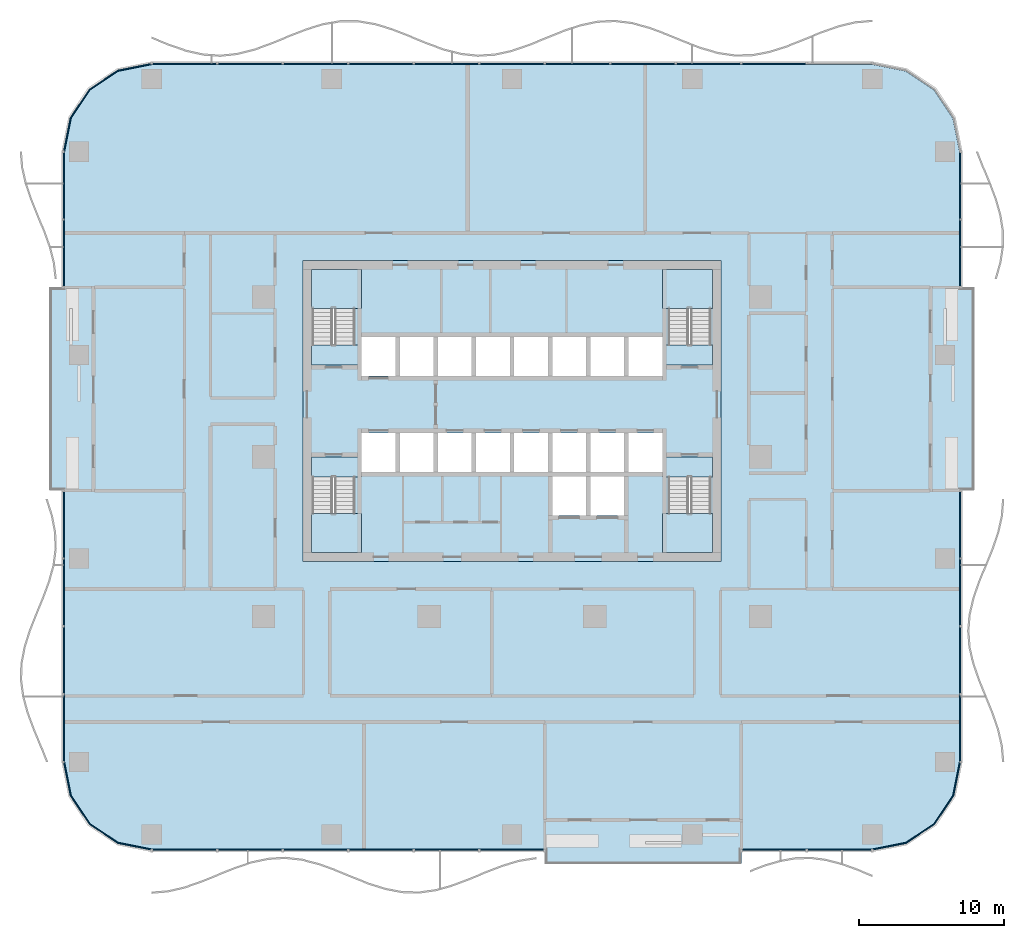
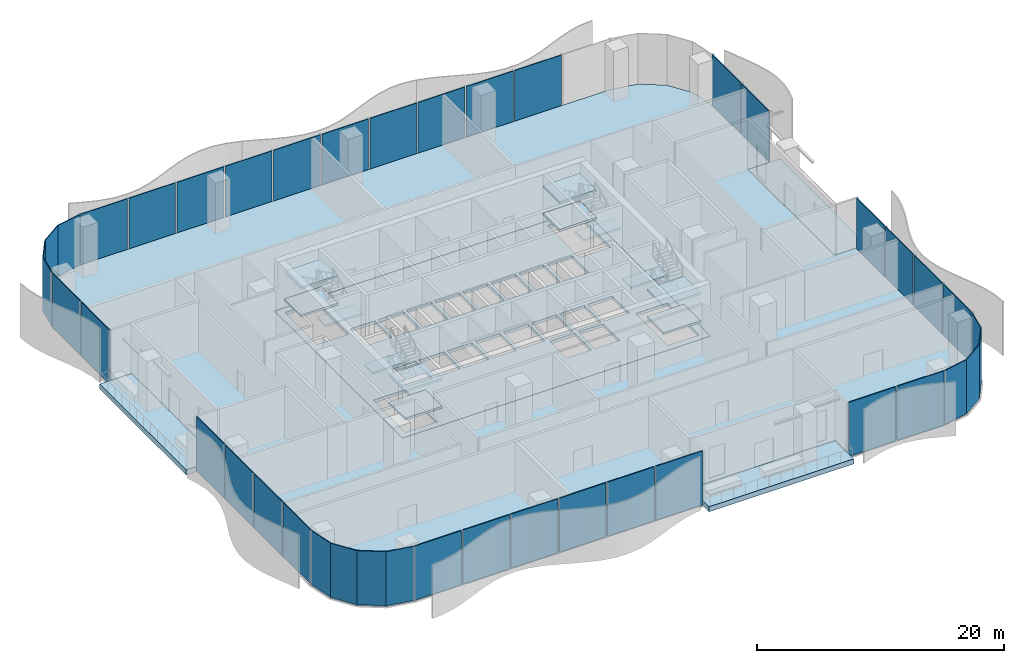
# One storey, part 6 of 20: 33 plates, 17 slabs, 14 elements without a shape of their own.
"""IFC4 building model written with IfcOpenShell, lengths in metres."""

from ifc_helpers import new_model, si_unit, direction, frame, origin, origin_2d, place, context, subcontext, project, spatial, polyline, rectangle, outline, extrude, material, layer, layer_set, type_object, element, aggregate, save


model = new_model("IFC4")

# Units and contexts
model_context = context("Model", 3, precision=1e-05, world=origin(), true_north=direction((0.0, 1.0)))
body_context = subcontext(model_context, "Body", "Model", "MODEL_VIEW")
ifc_project = project(units=[si_unit("LENGTHUNIT", "METRE"), si_unit("AREAUNIT", "SQUARE_METRE"), si_unit("VOLUMEUNIT", "CUBIC_METRE"), si_unit("PLANEANGLEUNIT", "RADIAN"), si_unit("MASSUNIT", "GRAM", prefix="KILO")], contexts=[model_context])

# Site, building, storey
site_placement = place(None, origin())
site = spatial("IfcSite", under=ifc_project, at=site_placement, CompositionType="ELEMENT")
building_placement = place(site_placement, origin())
building = spatial("IfcBuilding", under=site, at=building_placement, Name="Mopane Tessera Tower", CompositionType="ELEMENT")
storey_placement = place(building_placement, frame((0.0, 0.0, 14.5)))
storey = spatial("IfcBuildingStorey", under=building, at=storey_placement, Name="L02", CompositionType="ELEMENT", Elevation=14.5)

# Slab
ifc_material_1 = material(Name="Concrete C40/50", Category="concrete")
ifc_layer_1 = layer(ifc_material_1, 0.300048828125)
ifc_layer_set_1 = layer_set([ifc_layer_1], Name="Concrete C40/50")
slab_type_1 = type_object("IfcSlabType", Name="Core floor slab 300 mm", PredefinedType="FLOOR", material=ifc_layer_set_1)
slab_1_placement = place(storey_placement, frame((0.0, 0.0, -0.300048828125)))
element("IfcSlab", 1, at=slab_1_placement, inside=storey, type_object=slab_type_1, Name="L02 core floor slab", PredefinedType="FLOOR", context=body_context, shape_type="SweptSolid", body=[
    extrude(outline(polyline([(-14.39990234375, -7.199951171875), (14.39990234375, -7.199951171875), (14.39990234375, 13.5), (-14.39990234375, 13.5), (-14.39990234375, -7.199951171875)]), holes=[polyline([(-10.35009765625, -1.050048828125), (-8.02490234375, -1.050048828125), (-8.02490234375, 1.64990234375), (-10.35009765625, 1.64990234375), (-10.35009765625, -1.050048828125)]), polyline([(-7.72509765625, -1.050048828125), (-5.39990234375, -1.050048828125), (-5.39990234375, 1.64990234375), (-7.72509765625, 1.64990234375), (-7.72509765625, -1.050048828125)]), polyline([(-5.10009765625, -1.050048828125), (-2.77490234375, -1.050048828125), (-2.77490234375, 1.64990234375), (-5.10009765625, 1.64990234375), (-5.10009765625, -1.050048828125)]), polyline([(-2.47509765625, -1.050048828125), (-0.14990234375, -1.050048828125), (-0.14990234375, 1.64990234375), (-2.47509765625, 1.64990234375), (-2.47509765625, -1.050048828125)]), polyline([(0.14990234375, -1.050048828125), (2.47509765625, -1.050048828125), (2.47509765625, 1.64990234375), (0.14990234375, 1.64990234375), (0.14990234375, -1.050048828125)]), polyline([(2.77490234375, -1.050048828125), (5.10009765625, -1.050048828125), (5.10009765625, 1.64990234375), (2.77490234375, 1.64990234375), (2.77490234375, -1.050048828125)]), polyline([(5.39990234375, -1.050048828125), (7.72509765625, -1.050048828125), (7.72509765625, 1.64990234375), (5.39990234375, 1.64990234375), (5.39990234375, -1.050048828125)]), polyline([(8.02490234375, -1.050048828125), (10.35009765625, -1.050048828125), (10.35009765625, 1.64990234375), (8.02490234375, 1.64990234375), (8.02490234375, -1.050048828125)]), polyline([(-10.35009765625, 5.550048828125), (-8.02490234375, 5.550048828125), (-8.02490234375, 8.25), (-10.35009765625, 8.25), (-10.35009765625, 5.550048828125)]), polyline([(-7.72509765625, 5.550048828125), (-5.39990234375, 5.550048828125), (-5.39990234375, 8.25), (-7.72509765625, 8.25), (-7.72509765625, 5.550048828125)]), polyline([(-5.10009765625, 5.550048828125), (-2.77490234375, 5.550048828125), (-2.77490234375, 8.25), (-5.10009765625, 8.25), (-5.10009765625, 5.550048828125)]), polyline([(-2.47509765625, 5.550048828125), (-0.14990234375, 5.550048828125), (-0.14990234375, 8.25), (-2.47509765625, 8.25), (-2.47509765625, 5.550048828125)]), polyline([(0.14990234375, 5.550048828125), (2.47509765625, 5.550048828125), (2.47509765625, 8.25), (0.14990234375, 8.25), (0.14990234375, 5.550048828125)]), polyline([(2.77490234375, 5.550048828125), (5.10009765625, 5.550048828125), (5.10009765625, 8.25), (2.77490234375, 8.25), (2.77490234375, 5.550048828125)]), polyline([(5.39990234375, 5.550048828125), (7.72509765625, 5.550048828125), (7.72509765625, 8.25), (5.39990234375, 8.25), (5.39990234375, 5.550048828125)]), polyline([(8.02490234375, 5.550048828125), (10.35009765625, 5.550048828125), (10.35009765625, 8.25), (8.02490234375, 8.25), (8.02490234375, 5.550048828125)]), polyline([(2.77490234375, -4.050048828125), (5.10009765625, -4.050048828125), (5.10009765625, -1.35009765625), (2.77490234375, -1.35009765625), (2.77490234375, -4.050048828125)]), polyline([(5.39990234375, -4.050048828125), (7.72509765625, -4.050048828125), (7.72509765625, -1.35009765625), (5.39990234375, -1.35009765625), (5.39990234375, -4.050048828125)]), polyline([(-13.75, -1.405029296875), (-13.75, -6.60009765625), (-10.800048828125, -6.60009765625), (-10.800048828125, -1.405029296875), (-13.75, -1.405029296875)]), polyline([(-10.800048828125, 7.705078125), (-10.800048828125, 12.89990234375), (-13.75, 12.89990234375), (-13.75, 7.705078125), (-10.800048828125, 7.705078125)]), polyline([(10.75, -1.405029296875), (10.75, -6.60009765625), (13.699951171875, -6.60009765625), (13.699951171875, -1.405029296875), (10.75, -1.405029296875)]), polyline([(13.699951171875, 7.705078125), (13.699951171875, 12.89990234375), (10.75, 12.89990234375), (10.75, 7.705078125), (13.699951171875, 7.705078125)])]), origin(), (0.0, 0.0, 1.0), 0.300048828125),
])

# Stair, slabs
ifc_material_2 = material(Name="Concrete C50/60", Category="concrete")
stair_type = type_object("IfcStairType", Name="Escape stair 1400 mm, riser 138 mm", PredefinedType="HALF_TURN_STAIR", material=ifc_material_2)
stair_1_placement = place(storey_placement, origin())
stair_1 = element("IfcStair", 2, at=stair_1_placement, inside=storey, type_object=stair_type, Name="L02 Escape stair south-west", PredefinedType="HALF_TURN_STAIR")
ifc_material_3 = material(Name="Concrete C50/60", Category="concrete")
ifc_layer_2 = layer(ifc_material_3, 0.199951171875)
ifc_layer_set_2 = layer_set([ifc_layer_2], Name="Concrete C50/60")
slab_type_2 = type_object("IfcSlabType", Name="Escape stair landing 200 mm", PredefinedType="LANDING", material=ifc_layer_set_2)
slab_2_placement = place(storey_placement, frame((0.0, 0.0, 1.175048828125)))
slab_2 = element("IfcSlab", 3, at=slab_2_placement, type_object=slab_type_2, Name="ST1 landing 1", PredefinedType="LANDING", context=body_context, shape_type="SweptSolid", body=[
    extrude(outline(polyline([(-13.800048828125, -3.919921875), (-13.800048828125, -6.60009765625), (-10.35009765625, -6.60009765625), (-10.35009765625, -3.919921875), (-13.800048828125, -3.919921875)])), origin(), (0.0, 0.0, 1.0), 0.199951171875),
])
slab_3_placement = place(storey_placement, frame((0.0, 0.0, 2.550048828125)))
slab_3 = element("IfcSlab", 4, at=slab_3_placement, type_object=slab_type_2, Name="ST1 landing 2", PredefinedType="LANDING", context=body_context, shape_type="SweptSolid", body=[
    extrude(outline(polyline([(-13.800048828125, 0.0), (-13.800048828125, -1.39990234375), (-10.35009765625, -1.39990234375), (-10.35009765625, 0.0), (-13.800048828125, 0.0)])), origin(), (0.0, 0.0, 1.0), 0.199951171875),
])
slab_4_placement = place(storey_placement, frame((0.0, 0.0, 3.925048828125)))
slab_4 = element("IfcSlab", 5, at=slab_4_placement, type_object=slab_type_2, Name="ST1 landing 3", PredefinedType="LANDING", context=body_context, shape_type="SweptSolid", body=[
    extrude(outline(polyline([(-13.800048828125, -3.919921875), (-13.800048828125, -6.60009765625), (-10.35009765625, -6.60009765625), (-10.35009765625, -3.919921875), (-13.800048828125, -3.919921875)])), origin(), (0.0, 0.0, 1.0), 0.199951171875),
])
aggregate(stair_1, [slab_2, slab_3, slab_4])

stair_2_placement = place(storey_placement, origin())
stair_2 = element("IfcStair", 6, at=stair_2_placement, inside=storey, type_object=stair_type, Name="L02 Escape stair north-west", PredefinedType="HALF_TURN_STAIR")
slab_5_placement = place(storey_placement, frame((0.0, 0.0, 1.175048828125)))
slab_5 = element("IfcSlab", 7, at=slab_5_placement, type_object=slab_type_2, Name="ST2 landing 1", PredefinedType="LANDING", context=body_context, shape_type="SweptSolid", body=[
    extrude(outline(polyline([(-10.35009765625, 10.219970703125), (-10.35009765625, 12.89990234375), (-13.800048828125, 12.89990234375), (-13.800048828125, 10.219970703125), (-10.35009765625, 10.219970703125)])), origin(), (0.0, 0.0, 1.0), 0.199951171875),
])
slab_6_placement = place(storey_placement, frame((0.0, 0.0, 2.550048828125)))
slab_6 = element("IfcSlab", 8, at=slab_6_placement, type_object=slab_type_2, Name="ST2 landing 2", PredefinedType="LANDING", context=body_context, shape_type="SweptSolid", body=[
    extrude(outline(polyline([(-10.35009765625, 6.300048828125), (-10.35009765625, 7.699951171875), (-13.800048828125, 7.699951171875), (-13.800048828125, 6.300048828125), (-10.35009765625, 6.300048828125)])), origin(), (0.0, 0.0, 1.0), 0.199951171875),
])
slab_7_placement = place(storey_placement, frame((0.0, 0.0, 3.925048828125)))
slab_7 = element("IfcSlab", 9, at=slab_7_placement, type_object=slab_type_2, Name="ST2 landing 3", PredefinedType="LANDING", context=body_context, shape_type="SweptSolid", body=[
    extrude(outline(polyline([(-10.35009765625, 10.219970703125), (-10.35009765625, 12.89990234375), (-13.800048828125, 12.89990234375), (-13.800048828125, 10.219970703125), (-10.35009765625, 10.219970703125)])), origin(), (0.0, 0.0, 1.0), 0.199951171875),
])
aggregate(stair_2, [slab_5, slab_6, slab_7])

stair_3_placement = place(storey_placement, origin())
stair_3 = element("IfcStair", 10, at=stair_3_placement, inside=storey, type_object=stair_type, Name="L02 Escape stair south-east", PredefinedType="HALF_TURN_STAIR")
slab_8_placement = place(storey_placement, frame((0.0, 0.0, 1.175048828125)))
slab_8 = element("IfcSlab", 11, at=slab_8_placement, type_object=slab_type_2, Name="ST3 landing 1", PredefinedType="LANDING", context=body_context, shape_type="SweptSolid", body=[
    extrude(outline(polyline([(10.35009765625, -3.919921875), (10.35009765625, -6.60009765625), (13.800048828125, -6.60009765625), (13.800048828125, -3.919921875), (10.35009765625, -3.919921875)])), origin(), (0.0, 0.0, 1.0), 0.199951171875),
])
slab_9_placement = place(storey_placement, frame((0.0, 0.0, 2.550048828125)))
slab_9 = element("IfcSlab", 12, at=slab_9_placement, type_object=slab_type_2, Name="ST3 landing 2", PredefinedType="LANDING", context=body_context, shape_type="SweptSolid", body=[
    extrude(outline(polyline([(10.35009765625, 0.0), (10.35009765625, -1.39990234375), (13.800048828125, -1.39990234375), (13.800048828125, 0.0), (10.35009765625, 0.0)])), origin(), (0.0, 0.0, 1.0), 0.199951171875),
])
slab_10_placement = place(storey_placement, frame((0.0, 0.0, 3.925048828125)))
slab_10 = element("IfcSlab", 13, at=slab_10_placement, type_object=slab_type_2, Name="ST3 landing 3", PredefinedType="LANDING", context=body_context, shape_type="SweptSolid", body=[
    extrude(outline(polyline([(10.35009765625, -3.919921875), (10.35009765625, -6.60009765625), (13.800048828125, -6.60009765625), (13.800048828125, -3.919921875), (10.35009765625, -3.919921875)])), origin(), (0.0, 0.0, 1.0), 0.199951171875),
])
aggregate(stair_3, [slab_8, slab_9, slab_10])

stair_4_placement = place(storey_placement, origin())
stair_4 = element("IfcStair", 14, at=stair_4_placement, inside=storey, type_object=stair_type, Name="L02 Escape stair north-east", PredefinedType="HALF_TURN_STAIR")
slab_11_placement = place(storey_placement, frame((0.0, 0.0, 1.175048828125)))
slab_11 = element("IfcSlab", 15, at=slab_11_placement, type_object=slab_type_2, Name="ST4 landing 1", PredefinedType="LANDING", context=body_context, shape_type="SweptSolid", body=[
    extrude(outline(polyline([(13.800048828125, 10.219970703125), (13.800048828125, 12.89990234375), (10.35009765625, 12.89990234375), (10.35009765625, 10.219970703125), (13.800048828125, 10.219970703125)])), origin(), (0.0, 0.0, 1.0), 0.199951171875),
])
slab_12_placement = place(storey_placement, frame((0.0, 0.0, 2.550048828125)))
slab_12 = element("IfcSlab", 16, at=slab_12_placement, type_object=slab_type_2, Name="ST4 landing 2", PredefinedType="LANDING", context=body_context, shape_type="SweptSolid", body=[
    extrude(outline(polyline([(13.800048828125, 6.300048828125), (13.800048828125, 7.699951171875), (10.35009765625, 7.699951171875), (10.35009765625, 6.300048828125), (13.800048828125, 6.300048828125)])), origin(), (0.0, 0.0, 1.0), 0.199951171875),
])
slab_13_placement = place(storey_placement, frame((0.0, 0.0, 3.925048828125)))
slab_13 = element("IfcSlab", 17, at=slab_13_placement, type_object=slab_type_2, Name="ST4 landing 3", PredefinedType="LANDING", context=body_context, shape_type="SweptSolid", body=[
    extrude(outline(polyline([(13.800048828125, 10.219970703125), (13.800048828125, 12.89990234375), (10.35009765625, 12.89990234375), (10.35009765625, 10.219970703125), (13.800048828125, 10.219970703125)])), origin(), (0.0, 0.0, 1.0), 0.199951171875),
])
aggregate(stair_4, [slab_11, slab_12, slab_13])

# Slabs
ifc_material_4 = material(Name="Concrete C40/50", Category="concrete")
ifc_layer_3 = layer(ifc_material_4, 0.5)
ifc_layer_set_3 = layer_set([ifc_layer_3], Name="Concrete C40/50")
slab_type_3 = type_object("IfcSlabType", Name="Planted terrace slab 500 mm", PredefinedType="FLOOR", material=ifc_layer_set_3)
slab_14_placement = place(storey_placement, frame((0.0, 0.0, -0.5)))
element("IfcSlab", 18, at=slab_14_placement, inside=storey, type_object=slab_type_3, Name="Terrace slab N1 L02", PredefinedType="FLOOR", context=body_context, shape_type="SweptSolid", body=[
    extrude(outline(polyline([(15.78173828125, -28.0), (15.78173828125, -25.0), (2.254638671875, -25.0), (2.254638671875, -28.0), (15.78173828125, -28.0)])), origin(), (0.0, 0.0, 1.0), 0.5),
])
slab_15_placement = place(storey_placement, frame((0.0, 0.0, -0.5)))
element("IfcSlab", 19, at=slab_15_placement, inside=storey, type_object=slab_type_3, Name="Terrace slab N2 L02", PredefinedType="FLOOR", context=body_context, shape_type="SweptSolid", body=[
    extrude(outline(polyline([(31.800048828125, 11.666748046875), (28.800048828125, 11.666748046875), (28.800048828125, -2.333251953125), (31.800048828125, -2.333251953125), (31.800048828125, 11.666748046875)])), origin(), (0.0, 0.0, 1.0), 0.5),
])
slab_16_placement = place(storey_placement, frame((0.0, 0.0, -0.5)))
element("IfcSlab", 20, at=slab_16_placement, inside=storey, type_object=slab_type_3, Name="Terrace slab N3 L02", PredefinedType="FLOOR", context=body_context, shape_type="SweptSolid", body=[
    extrude(outline(polyline([(-31.800048828125, -2.333251953125), (-28.800048828125, -2.333251953125), (-28.800048828125, 11.666748046875), (-31.800048828125, 11.666748046875), (-31.800048828125, -2.333251953125)])), origin(), (0.0, 0.0, 1.0), 0.5),
])

# Curtain wall, plates
ifc_material_5 = material(Name="Aluminium frame", Category="aluminium")
curtain_wall_type = type_object("IfcCurtainWallType", Name="Podium unitised wall", PredefinedType="NOTDEFINED", material=ifc_material_5)
curtain_wall_1_placement = place(storey_placement, origin())
curtain_wall_1 = element("IfcCurtainWall", 21, at=curtain_wall_1_placement, inside=storey, type_object=curtain_wall_type, Name="e:cw:L02:S:0", PredefinedType="NOTDEFINED")
ifc_material_6 = material(Name="Limestone spandrel", Category="masonry")
ifc_layer_4 = layer(ifc_material_6, 0.080078125)
ifc_layer_set_4 = layer_set([ifc_layer_4], Name="Limestone spandrel")
plate_type = type_object("IfcPlateType", Name="Podium stone spandrel unit", PredefinedType="CURTAIN_PANEL", material=ifc_layer_set_4)
plate_1_placement = place(storey_placement, frame((-22.54541015625, -27.0400390625, -0.33984375), z_axis=(0.0, 0.0, 1.0), x_axis=(1.0, 0.0, 0.0)))
plate_1 = element("IfcPlate", 22, at=plate_1_placement, type_object=plate_type, Name="e:cw:L02:S:0:pn0", PredefinedType="CURTAIN_PANEL", context=body_context, shape_type="SweptSolid", body=[
    extrude(rectangle(XDim=4.384033203125, YDim=0.080078125, at=origin_2d()), origin(), (0.0, 0.0, 1.0), 5.340087890625),
])
plate_2_placement = place(storey_placement, frame((-18.036376953125, -27.0400390625, -0.33984375), z_axis=(0.0, 0.0, 1.0), x_axis=(1.0, 0.0, 0.0)))
plate_2 = element("IfcPlate", 23, at=plate_2_placement, type_object=plate_type, Name="e:cw:L02:S:0:pn1", PredefinedType="CURTAIN_PANEL", context=body_context, shape_type="SweptSolid", body=[
    extrude(rectangle(XDim=4.384033203125, YDim=0.080078125, at=origin_2d()), origin(), (0.0, 0.0, 1.0), 5.340087890625),
])
plate_3_placement = place(storey_placement, frame((-13.52734375, -27.0400390625, -0.33984375), z_axis=(0.0, 0.0, 1.0), x_axis=(1.0, 0.0, 0.0)))
plate_3 = element("IfcPlate", 24, at=plate_3_placement, type_object=plate_type, Name="e:cw:L02:S:0:pn2", PredefinedType="CURTAIN_PANEL", context=body_context, shape_type="SweptSolid", body=[
    extrude(rectangle(XDim=4.384033203125, YDim=0.080078125, at=origin_2d()), origin(), (0.0, 0.0, 1.0), 5.340087890625),
])
plate_4_placement = place(storey_placement, frame((-9.01806640625, -27.0400390625, -0.33984375), z_axis=(0.0, 0.0, 1.0), x_axis=(1.0, 0.0, 0.0)))
plate_4 = element("IfcPlate", 25, at=plate_4_placement, type_object=plate_type, Name="e:cw:L02:S:0:pn3", PredefinedType="CURTAIN_PANEL", context=body_context, shape_type="SweptSolid", body=[
    extrude(rectangle(XDim=4.384033203125, YDim=0.080078125, at=origin_2d()), origin(), (0.0, 0.0, 1.0), 5.340087890625),
])
plate_5_placement = place(storey_placement, frame((-4.509033203125, -27.0400390625, -0.33984375), z_axis=(0.0, 0.0, 1.0), x_axis=(1.0, 0.0, 0.0)))
plate_5 = element("IfcPlate", 26, at=plate_5_placement, type_object=plate_type, Name="e:cw:L02:S:0:pn4", PredefinedType="CURTAIN_PANEL", context=body_context, shape_type="SweptSolid", body=[
    extrude(rectangle(XDim=4.384033203125, YDim=0.080078125, at=origin_2d()), origin(), (0.0, 0.0, 1.0), 5.340087890625),
])
plate_6_placement = place(storey_placement, frame((0.0, -27.0400390625, -0.33984375), z_axis=(0.0, 0.0, 1.0), x_axis=(1.0, 0.0, 0.0)))
plate_6 = element("IfcPlate", 27, at=plate_6_placement, type_object=plate_type, Name="e:cw:L02:S:0:pn5", PredefinedType="CURTAIN_PANEL", context=body_context, shape_type="SweptSolid", body=[
    extrude(rectangle(XDim=4.384033203125, YDim=0.080078125, at=origin_2d()), origin(), (0.0, 0.0, 1.0), 5.340087890625),
])
aggregate(curtain_wall_1, [plate_1, plate_2, plate_3, plate_4, plate_5, plate_6])

curtain_wall_2_placement = place(storey_placement, origin())
curtain_wall_2 = element("IfcCurtainWall", 28, at=curtain_wall_2_placement, inside=storey, type_object=curtain_wall_type, Name="e:cw:L02:S:9", PredefinedType="NOTDEFINED")
plate_7_placement = place(storey_placement, frame((18.036376953125, -27.0400390625, -0.33984375), z_axis=(0.0, 0.0, 1.0), x_axis=(1.0, 0.0, 0.0)))
plate_7 = element("IfcPlate", 29, at=plate_7_placement, type_object=plate_type, Name="e:cw:L02:S:9:pn9", PredefinedType="CURTAIN_PANEL", context=body_context, shape_type="SweptSolid", body=[
    extrude(rectangle(XDim=4.384033203125, YDim=0.080078125, at=origin_2d()), origin(), (0.0, 0.0, 1.0), 5.340087890625),
])
plate_8_placement = place(storey_placement, frame((22.54541015625, -27.0400390625, -0.33984375), z_axis=(0.0, 0.0, 1.0), x_axis=(1.0, 0.0, 0.0)))
plate_8 = element("IfcPlate", 30, at=plate_8_placement, type_object=plate_type, Name="e:cw:L02:S:9:pn10", PredefinedType="CURTAIN_PANEL", context=body_context, shape_type="SweptSolid", body=[
    extrude(rectangle(XDim=4.384033203125, YDim=0.080078125, at=origin_2d()), origin(), (0.0, 0.0, 1.0), 5.340087890625),
])
aggregate(curtain_wall_2, [plate_7, plate_8])

# Curtain wall, plate
curtain_wall_3_placement = place(storey_placement, origin())
curtain_wall_3 = element("IfcCurtainWall", 31, at=curtain_wall_3_placement, inside=storey, type_object=curtain_wall_type, Name="e:cw:L02:CS", PredefinedType="NOTDEFINED")
plate_9_placement = place(storey_placement, frame((0.0, 0.0, -0.340087890625)))
plate_9 = element("IfcPlate", 32, at=plate_9_placement, type_object=plate_type, Name="e:cw:L02:CS:pn", PredefinedType="CURTAIN_PANEL", context=body_context, shape_type="SweptSolid", body=[
    extrude(outline(polyline([(24.800048828125, -27.0), (27.09619140625, -26.543212890625), (29.042724609375, -25.24267578125), (30.34326171875, -23.296142578125), (30.800048828125, -21.0), (30.8798828125, -21.0), (30.417236328125, -23.32666015625), (29.09912109375, -25.29931640625), (27.126708984375, -26.6171875), (24.800048828125, -27.080078125), (24.800048828125, -27.0)])), origin(), (0.0, 0.0, 1.0), 5.340087890625),
])
aggregate(curtain_wall_3, [plate_9])

# Curtain wall, plates
curtain_wall_4_placement = place(storey_placement, origin())
curtain_wall_4 = element("IfcCurtainWall", 33, at=curtain_wall_4_placement, inside=storey, type_object=curtain_wall_type, Name="e:cw:L02:E:0", PredefinedType="NOTDEFINED")
plate_10_placement = place(storey_placement, frame((30.840087890625, -18.666748046875, -0.33984375), z_axis=(0.0, 0.0, 1.0), x_axis=(0.0, 1.0, 0.0)))
plate_10 = element("IfcPlate", 34, at=plate_10_placement, type_object=plate_type, Name="e:cw:L02:E:0:pn0", PredefinedType="CURTAIN_PANEL", context=body_context, shape_type="SweptSolid", body=[
    extrude(rectangle(XDim=4.541748046875, YDim=0.080078125, at=origin_2d()), origin(), (0.0, 0.0, 1.0), 5.340087890625),
])
plate_11_placement = place(storey_placement, frame((30.840087890625, -14.0, -0.33984375), z_axis=(0.0, 0.0, 1.0), x_axis=(0.0, 1.0, 0.0)))
plate_11 = element("IfcPlate", 35, at=plate_11_placement, type_object=plate_type, Name="e:cw:L02:E:0:pn1", PredefinedType="CURTAIN_PANEL", context=body_context, shape_type="SweptSolid", body=[
    extrude(rectangle(XDim=4.541748046875, YDim=0.080078125, at=origin_2d()), origin(), (0.0, 0.0, 1.0), 5.340087890625),
])
plate_12_placement = place(storey_placement, frame((30.840087890625, -9.333251953125, -0.33984375), z_axis=(0.0, 0.0, 1.0), x_axis=(0.0, 1.0, 0.0)))
plate_12 = element("IfcPlate", 36, at=plate_12_placement, type_object=plate_type, Name="e:cw:L02:E:0:pn2", PredefinedType="CURTAIN_PANEL", context=body_context, shape_type="SweptSolid", body=[
    extrude(rectangle(XDim=4.541748046875, YDim=0.080078125, at=origin_2d()), origin(), (0.0, 0.0, 1.0), 5.340087890625),
])
plate_13_placement = place(storey_placement, frame((30.840087890625, -4.666748046875, -0.33984375), z_axis=(0.0, 0.0, 1.0), x_axis=(0.0, 1.0, 0.0)))
plate_13 = element("IfcPlate", 37, at=plate_13_placement, type_object=plate_type, Name="e:cw:L02:E:0:pn3", PredefinedType="CURTAIN_PANEL", context=body_context, shape_type="SweptSolid", body=[
    extrude(rectangle(XDim=4.541748046875, YDim=0.080078125, at=origin_2d()), origin(), (0.0, 0.0, 1.0), 5.340087890625),
])
aggregate(curtain_wall_4, [plate_10, plate_11, plate_12, plate_13])

curtain_wall_5_placement = place(storey_placement, origin())
curtain_wall_5 = element("IfcCurtainWall", 38, at=curtain_wall_5_placement, inside=storey, type_object=curtain_wall_type, Name="e:cw:L02:E:7", PredefinedType="NOTDEFINED")
plate_14_placement = place(storey_placement, frame((30.840087890625, 14.0, -0.33984375), z_axis=(0.0, 0.0, 1.0), x_axis=(0.0, 1.0, 0.0)))
plate_14 = element("IfcPlate", 39, at=plate_14_placement, type_object=plate_type, Name="e:cw:L02:E:7:pn7", PredefinedType="CURTAIN_PANEL", context=body_context, shape_type="SweptSolid", body=[
    extrude(rectangle(XDim=4.541748046875, YDim=0.080078125, at=origin_2d()), origin(), (0.0, 0.0, 1.0), 5.340087890625),
])
plate_15_placement = place(storey_placement, frame((30.840087890625, 18.666748046875, -0.33984375), z_axis=(0.0, 0.0, 1.0), x_axis=(0.0, 1.0, 0.0)))
plate_15 = element("IfcPlate", 40, at=plate_15_placement, type_object=plate_type, Name="e:cw:L02:E:7:pn8", PredefinedType="CURTAIN_PANEL", context=body_context, shape_type="SweptSolid", body=[
    extrude(rectangle(XDim=4.541748046875, YDim=0.080078125, at=origin_2d()), origin(), (0.0, 0.0, 1.0), 5.340087890625),
])
aggregate(curtain_wall_5, [plate_14, plate_15])

curtain_wall_6_placement = place(storey_placement, origin())
curtain_wall_6 = element("IfcCurtainWall", 41, at=curtain_wall_6_placement, inside=storey, type_object=curtain_wall_type, Name="e:cw:L02:N:0", PredefinedType="NOTDEFINED")
plate_16_placement = place(storey_placement, frame((18.036376953125, 27.0400390625, -0.33984375), z_axis=(0.0, 0.0, 1.0), x_axis=(-1.0, 0.0, 0.0)))
plate_16 = element("IfcPlate", 42, at=plate_16_placement, type_object=plate_type, Name="e:cw:L02:N:0:pn1", PredefinedType="CURTAIN_PANEL", context=body_context, shape_type="SweptSolid", body=[
    extrude(rectangle(XDim=4.384033203125, YDim=0.080078125, at=origin_2d()), origin(), (0.0, 0.0, 1.0), 5.340087890625),
])
plate_17_placement = place(storey_placement, frame((13.52734375, 27.0400390625, -0.33984375), z_axis=(0.0, 0.0, 1.0), x_axis=(-1.0, 0.0, 0.0)))
plate_17 = element("IfcPlate", 43, at=plate_17_placement, type_object=plate_type, Name="e:cw:L02:N:0:pn2", PredefinedType="CURTAIN_PANEL", context=body_context, shape_type="SweptSolid", body=[
    extrude(rectangle(XDim=4.384033203125, YDim=0.080078125, at=origin_2d()), origin(), (0.0, 0.0, 1.0), 5.340087890625),
])
plate_18_placement = place(storey_placement, frame((9.01806640625, 27.0400390625, -0.33984375), z_axis=(0.0, 0.0, 1.0), x_axis=(-1.0, 0.0, 0.0)))
plate_18 = element("IfcPlate", 44, at=plate_18_placement, type_object=plate_type, Name="e:cw:L02:N:0:pn3", PredefinedType="CURTAIN_PANEL", context=body_context, shape_type="SweptSolid", body=[
    extrude(rectangle(XDim=4.384033203125, YDim=0.080078125, at=origin_2d()), origin(), (0.0, 0.0, 1.0), 5.340087890625),
])
plate_19_placement = place(storey_placement, frame((4.509033203125, 27.0400390625, -0.33984375), z_axis=(0.0, 0.0, 1.0), x_axis=(-1.0, 0.0, 0.0)))
plate_19 = element("IfcPlate", 45, at=plate_19_placement, type_object=plate_type, Name="e:cw:L02:N:0:pn4", PredefinedType="CURTAIN_PANEL", context=body_context, shape_type="SweptSolid", body=[
    extrude(rectangle(XDim=4.384033203125, YDim=0.080078125, at=origin_2d()), origin(), (0.0, 0.0, 1.0), 5.340087890625),
])
plate_20_placement = place(storey_placement, frame((0.0, 27.0400390625, -0.33984375), z_axis=(0.0, 0.0, 1.0), x_axis=(-1.0, 0.0, 0.0)))
plate_20 = element("IfcPlate", 46, at=plate_20_placement, type_object=plate_type, Name="e:cw:L02:N:0:pn5", PredefinedType="CURTAIN_PANEL", context=body_context, shape_type="SweptSolid", body=[
    extrude(rectangle(XDim=4.384033203125, YDim=0.080078125, at=origin_2d()), origin(), (0.0, 0.0, 1.0), 5.340087890625),
])
plate_21_placement = place(storey_placement, frame((-4.509033203125, 27.0400390625, -0.33984375), z_axis=(0.0, 0.0, 1.0), x_axis=(-1.0, 0.0, 0.0)))
plate_21 = element("IfcPlate", 47, at=plate_21_placement, type_object=plate_type, Name="e:cw:L02:N:0:pn6", PredefinedType="CURTAIN_PANEL", context=body_context, shape_type="SweptSolid", body=[
    extrude(rectangle(XDim=4.384033203125, YDim=0.080078125, at=origin_2d()), origin(), (0.0, 0.0, 1.0), 5.340087890625),
])
plate_22_placement = place(storey_placement, frame((-9.01806640625, 27.0400390625, -0.33984375), z_axis=(0.0, 0.0, 1.0), x_axis=(-1.0, 0.0, 0.0)))
plate_22 = element("IfcPlate", 48, at=plate_22_placement, type_object=plate_type, Name="e:cw:L02:N:0:pn7", PredefinedType="CURTAIN_PANEL", context=body_context, shape_type="SweptSolid", body=[
    extrude(rectangle(XDim=4.384033203125, YDim=0.080078125, at=origin_2d()), origin(), (0.0, 0.0, 1.0), 5.340087890625),
])
plate_23_placement = place(storey_placement, frame((-13.52734375, 27.0400390625, -0.33984375), z_axis=(0.0, 0.0, 1.0), x_axis=(-1.0, 0.0, 0.0)))
plate_23 = element("IfcPlate", 49, at=plate_23_placement, type_object=plate_type, Name="e:cw:L02:N:0:pn8", PredefinedType="CURTAIN_PANEL", context=body_context, shape_type="SweptSolid", body=[
    extrude(rectangle(XDim=4.384033203125, YDim=0.080078125, at=origin_2d()), origin(), (0.0, 0.0, 1.0), 5.340087890625),
])
plate_24_placement = place(storey_placement, frame((-18.036376953125, 27.0400390625, -0.33984375), z_axis=(0.0, 0.0, 1.0), x_axis=(-1.0, 0.0, 0.0)))
plate_24 = element("IfcPlate", 50, at=plate_24_placement, type_object=plate_type, Name="e:cw:L02:N:0:pn9", PredefinedType="CURTAIN_PANEL", context=body_context, shape_type="SweptSolid", body=[
    extrude(rectangle(XDim=4.384033203125, YDim=0.080078125, at=origin_2d()), origin(), (0.0, 0.0, 1.0), 5.340087890625),
])
plate_25_placement = place(storey_placement, frame((-22.54541015625, 27.0400390625, -0.33984375), z_axis=(0.0, 0.0, 1.0), x_axis=(-1.0, 0.0, 0.0)))
plate_25 = element("IfcPlate", 51, at=plate_25_placement, type_object=plate_type, Name="e:cw:L02:N:0:pn10", PredefinedType="CURTAIN_PANEL", context=body_context, shape_type="SweptSolid", body=[
    extrude(rectangle(XDim=4.384033203125, YDim=0.080078125, at=origin_2d()), origin(), (0.0, 0.0, 1.0), 5.340087890625),
])
aggregate(curtain_wall_6, [plate_16, plate_17, plate_18, plate_19, plate_20, plate_21, plate_22, plate_23, plate_24, plate_25])

# Curtain wall, plate
curtain_wall_7_placement = place(storey_placement, origin())
curtain_wall_7 = element("IfcCurtainWall", 52, at=curtain_wall_7_placement, inside=storey, type_object=curtain_wall_type, Name="e:cw:L02:CN", PredefinedType="NOTDEFINED")
plate_26_placement = place(storey_placement, frame((0.0, 0.0, -0.340087890625)))
plate_26 = element("IfcPlate", 53, at=plate_26_placement, type_object=plate_type, Name="e:cw:L02:CN:pn", PredefinedType="CURTAIN_PANEL", context=body_context, shape_type="SweptSolid", body=[
    extrude(outline(polyline([(-24.800048828125, 27.0), (-27.09619140625, 26.543212890625), (-29.042724609375, 25.24267578125), (-30.34326171875, 23.296142578125), (-30.800048828125, 21.0), (-30.8798828125, 21.0), (-30.417236328125, 23.32666015625), (-29.09912109375, 25.29931640625), (-27.126708984375, 26.6171875), (-24.800048828125, 27.080078125), (-24.800048828125, 27.0)])), origin(), (0.0, 0.0, 1.0), 5.340087890625),
])
aggregate(curtain_wall_7, [plate_26])

# Curtain wall, plates
curtain_wall_8_placement = place(storey_placement, origin())
curtain_wall_8 = element("IfcCurtainWall", 54, at=curtain_wall_8_placement, inside=storey, type_object=curtain_wall_type, Name="e:cw:L02:W:0", PredefinedType="NOTDEFINED")
plate_27_placement = place(storey_placement, frame((-30.840087890625, 18.666748046875, -0.33984375), z_axis=(0.0, 0.0, 1.0), x_axis=(0.0, -1.0, 0.0)))
plate_27 = element("IfcPlate", 55, at=plate_27_placement, type_object=plate_type, Name="e:cw:L02:W:0:pn0", PredefinedType="CURTAIN_PANEL", context=body_context, shape_type="SweptSolid", body=[
    extrude(rectangle(XDim=4.541748046875, YDim=0.080078125, at=origin_2d()), origin(), (0.0, 0.0, 1.0), 5.340087890625),
])
plate_28_placement = place(storey_placement, frame((-30.840087890625, 14.0, -0.33984375), z_axis=(0.0, 0.0, 1.0), x_axis=(0.0, -1.0, 0.0)))
plate_28 = element("IfcPlate", 56, at=plate_28_placement, type_object=plate_type, Name="e:cw:L02:W:0:pn1", PredefinedType="CURTAIN_PANEL", context=body_context, shape_type="SweptSolid", body=[
    extrude(rectangle(XDim=4.541748046875, YDim=0.080078125, at=origin_2d()), origin(), (0.0, 0.0, 1.0), 5.340087890625),
])
aggregate(curtain_wall_8, [plate_27, plate_28])

curtain_wall_9_placement = place(storey_placement, origin())
curtain_wall_9 = element("IfcCurtainWall", 57, at=curtain_wall_9_placement, inside=storey, type_object=curtain_wall_type, Name="e:cw:L02:W:5", PredefinedType="NOTDEFINED")
plate_29_placement = place(storey_placement, frame((-30.840087890625, -4.666748046875, -0.33984375), z_axis=(0.0, 0.0, 1.0), x_axis=(0.0, -1.0, 0.0)))
plate_29 = element("IfcPlate", 58, at=plate_29_placement, type_object=plate_type, Name="e:cw:L02:W:5:pn5", PredefinedType="CURTAIN_PANEL", context=body_context, shape_type="SweptSolid", body=[
    extrude(rectangle(XDim=4.541748046875, YDim=0.080078125, at=origin_2d()), origin(), (0.0, 0.0, 1.0), 5.340087890625),
])
plate_30_placement = place(storey_placement, frame((-30.840087890625, -9.333251953125, -0.33984375), z_axis=(0.0, 0.0, 1.0), x_axis=(0.0, -1.0, 0.0)))
plate_30 = element("IfcPlate", 59, at=plate_30_placement, type_object=plate_type, Name="e:cw:L02:W:5:pn6", PredefinedType="CURTAIN_PANEL", context=body_context, shape_type="SweptSolid", body=[
    extrude(rectangle(XDim=4.541748046875, YDim=0.080078125, at=origin_2d()), origin(), (0.0, 0.0, 1.0), 5.340087890625),
])
plate_31_placement = place(storey_placement, frame((-30.840087890625, -14.0, -0.33984375), z_axis=(0.0, 0.0, 1.0), x_axis=(0.0, -1.0, 0.0)))
plate_31 = element("IfcPlate", 60, at=plate_31_placement, type_object=plate_type, Name="e:cw:L02:W:5:pn7", PredefinedType="CURTAIN_PANEL", context=body_context, shape_type="SweptSolid", body=[
    extrude(rectangle(XDim=4.541748046875, YDim=0.080078125, at=origin_2d()), origin(), (0.0, 0.0, 1.0), 5.340087890625),
])
plate_32_placement = place(storey_placement, frame((-30.840087890625, -18.666748046875, -0.33984375), z_axis=(0.0, 0.0, 1.0), x_axis=(0.0, -1.0, 0.0)))
plate_32 = element("IfcPlate", 61, at=plate_32_placement, type_object=plate_type, Name="e:cw:L02:W:5:pn8", PredefinedType="CURTAIN_PANEL", context=body_context, shape_type="SweptSolid", body=[
    extrude(rectangle(XDim=4.541748046875, YDim=0.080078125, at=origin_2d()), origin(), (0.0, 0.0, 1.0), 5.340087890625),
])
aggregate(curtain_wall_9, [plate_29, plate_30, plate_31, plate_32])

# Curtain wall, plate
curtain_wall_10_placement = place(storey_placement, origin())
curtain_wall_10 = element("IfcCurtainWall", 62, at=curtain_wall_10_placement, inside=storey, type_object=curtain_wall_type, Name="e:cw:L02:CW", PredefinedType="NOTDEFINED")
plate_33_placement = place(storey_placement, frame((0.0, 0.0, -0.340087890625)))
plate_33 = element("IfcPlate", 63, at=plate_33_placement, type_object=plate_type, Name="e:cw:L02:CW:pn", PredefinedType="CURTAIN_PANEL", context=body_context, shape_type="SweptSolid", body=[
    extrude(outline(polyline([(-30.800048828125, -21.0), (-30.34326171875, -23.296142578125), (-29.042724609375, -25.24267578125), (-27.09619140625, -26.543212890625), (-24.800048828125, -27.0), (-24.800048828125, -27.080078125), (-27.126708984375, -26.6171875), (-29.09912109375, -25.29931640625), (-30.417236328125, -23.32666015625), (-30.8798828125, -21.0), (-30.800048828125, -21.0)])), origin(), (0.0, 0.0, 1.0), 5.340087890625),
])
aggregate(curtain_wall_10, [plate_33])

# Slab
ifc_material_7 = material(Name="Concrete C40/50", Category="concrete")
ifc_layer_5 = layer(ifc_material_7, 0.5)
ifc_layer_set_5 = layer_set([ifc_layer_5], Name="Concrete C40/50")
slab_type_4 = type_object("IfcSlabType", Name="Post-tensioned flat plate 500 mm", PredefinedType="FLOOR", material=ifc_layer_set_5)
slab_17_placement = place(storey_placement, frame((0.0, 0.0, -0.5)))
element("IfcSlab", 64, at=slab_17_placement, inside=storey, type_object=slab_type_4, Name="Floor slab L02", PredefinedType="FLOOR", context=body_context, shape_type="SweptSolid", body=[
    extrude(outline(polyline([(-24.800048828125, -27.0), (2.254638671875, -27.0), (2.254638671875, -25.0), (15.78173828125, -25.0), (15.78173828125, -27.0), (24.800048828125, -27.0), (27.09619140625, -26.543212890625), (29.042724609375, -25.24267578125), (30.34326171875, -23.296142578125), (30.800048828125, -21.0), (30.800048828125, -2.333251953125), (28.800048828125, -2.333251953125), (28.800048828125, 11.666748046875), (30.800048828125, 11.666748046875), (30.800048828125, 21.0), (30.34326171875, 23.296142578125), (29.042724609375, 25.24267578125), (27.09619140625, 26.543212890625), (24.800048828125, 27.0), (-24.800048828125, 27.0), (-27.09619140625, 26.543212890625), (-29.042724609375, 25.24267578125), (-30.34326171875, 23.296142578125), (-30.800048828125, 21.0), (-30.800048828125, 11.666748046875), (-28.800048828125, 11.666748046875), (-28.800048828125, -2.333251953125), (-30.800048828125, -2.333251953125), (-30.800048828125, -21.0), (-30.34326171875, -23.296142578125), (-29.042724609375, -25.24267578125), (-27.09619140625, -26.543212890625), (-24.800048828125, -27.0)]), holes=[polyline([(14.39990234375, -7.199951171875), (-14.39990234375, -7.199951171875), (-14.39990234375, 13.5), (14.39990234375, 13.5), (14.39990234375, -7.199951171875)])]), origin(), (0.0, 0.0, 1.0), 0.5),
])

save(model, "model.ifc")
